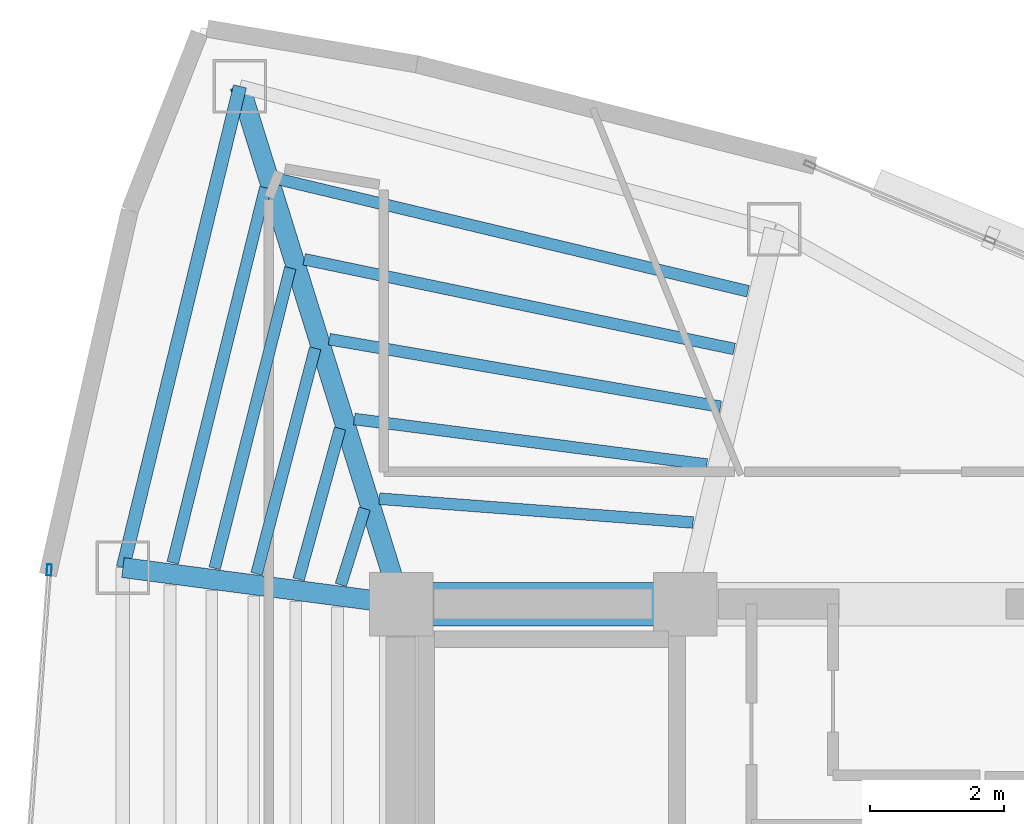
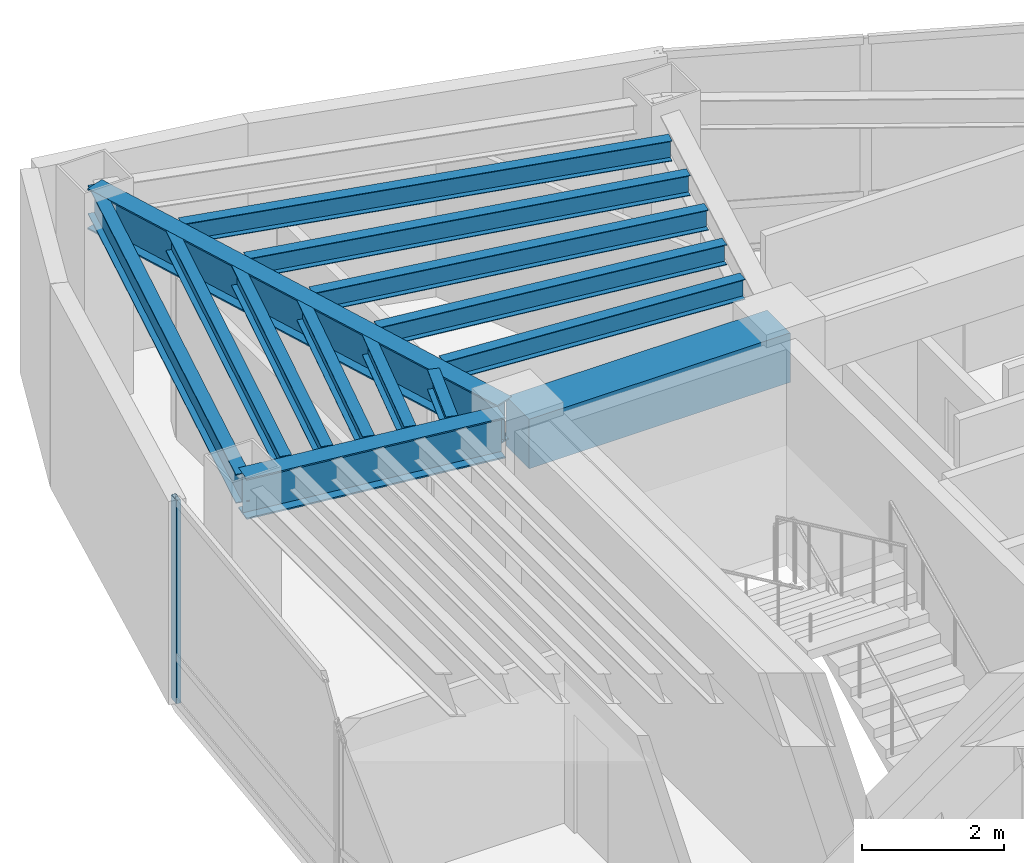
# One storey, part 7 of 15: 14 beams, 1 member, 1 element without a shape of its own.
"""IFC4 building model written with IfcOpenShell, lengths in metres."""

import ifcopenshell
import ifcopenshell.guid

model = None  # the IFC model being written
_history = None  # IfcOwnerHistory: only IFC2X3 demands one
_inside = {}  # id of a spatial element -> (the spatial element, [elements in it])
_under = {}  # id of a project, library or spatial element -> (it, [spatial elements below it])
_declared = {}  # id of a project -> (the project, [libraries it declares])
_typed = {}  # id of a type object -> (the type object, [elements of that type])
_made_of = {}  # id of a material, layer set ... -> (it, [elements and type objects made of it])


def new_model(schema):
    """Start an empty IFC model of exactly this schema.

    Asked for "IFC4X3", IfcOpenShell would pick the latest addendum, in which some entities
    have other attributes; the version numbers below select the first issue.
    IFC2X3 requires an IfcOwnerHistory on every rooted entity: one is made here for all.
    """
    global model, _history
    if schema == "IFC4X3":
        model = ifcopenshell.file(schema_version=(4, 3, 0, 0))
    else:
        model = ifcopenshell.file(schema=schema)
    _inside.clear()
    _under.clear()
    _declared.clear()
    _typed.clear()
    _made_of.clear()
    _history = None
    if model.schema == "IFC2X3":
        org = make("IfcOrganization", Name="unknown")
        user = make(
            "IfcPersonAndOrganization",
            ThePerson=make("IfcPerson", FamilyName="unknown"),
            TheOrganization=org,
        )
        app = make(
            "IfcApplication",
            ApplicationDeveloper=org,
            Version="unknown",
            ApplicationFullName="unknown",
            ApplicationIdentifier="unknown",
        )
        _history = make(
            "IfcOwnerHistory",
            OwningUser=user,
            OwningApplication=app,
            ChangeAction="ADDED",
            CreationDate=0,
        )
    return model


def make(cls, **values):
    """One entity of the class cls with the attributes given. An attribute that is None is left unset."""
    return model.create_entity(
        cls, **{name: value for name, value in values.items() if value is not None}
    )


def rooted(cls, **values):
    """An entity with a GlobalId (a new one), such as an element, a storey or a relation."""
    return make(cls, GlobalId=ifcopenshell.guid.new(), OwnerHistory=_history, **values)


def si_unit(unit_type, name, prefix=None):
    """IfcSIUnit, for example si_unit("LENGTHUNIT", "METRE", prefix="MILLI")."""
    return make("IfcSIUnit", UnitType=unit_type, Prefix=prefix, Name=name)


def assignment(units):
    """IfcUnitAssignment: the units of a project."""
    return None if units is None else make("IfcUnitAssignment", Units=units)


def point(xyz):
    """IfcCartesianPoint."""
    return None if xyz is None else make("IfcCartesianPoint", Coordinates=xyz)


def direction(xyz):
    """IfcDirection."""
    return None if xyz is None else make("IfcDirection", DirectionRatios=xyz)


def frame(location, z_axis=None, x_axis=None):
    """IfcAxis2Placement3D, a coordinate frame: its origin and axes. An axis left out is left unset."""
    return make(
        "IfcAxis2Placement3D",
        Location=point(location),
        Axis=direction(z_axis),
        RefDirection=direction(x_axis),
    )


def frame_2d(location, x_axis=None):
    """IfcAxis2Placement2D, a coordinate frame in the plane: its origin and x axis."""
    return make(
        "IfcAxis2Placement2D", Location=point(location), RefDirection=direction(x_axis)
    )


def origin():
    """The frame at (0, 0, 0) with its axes left unset."""
    return frame((0.0, 0.0, 0.0))


def origin_2d():
    """The frame at (0, 0) in the plane with its x axis left unset."""
    return frame_2d((0.0, 0.0))


def place(relative_to, where):
    """IfcLocalPlacement: puts the frame where relative to a parent placement (None: the world)."""
    return make(
        "IfcLocalPlacement", PlacementRelTo=relative_to, RelativePlacement=where
    )


def context(
    kind, dimensions, precision=None, world=None, true_north=None, identifier=None
):
    """IfcGeometricRepresentationContext, for example the 3D "Model" context."""
    return make(
        "IfcGeometricRepresentationContext",
        ContextIdentifier=identifier,
        ContextType=kind,
        CoordinateSpaceDimension=dimensions,
        Precision=precision,
        WorldCoordinateSystem=world,
        TrueNorth=true_north,
    )


def subcontext(parent, identifier, kind, view, scale=None):
    """IfcGeometricRepresentationSubContext, for example "Body" below "Model"."""
    return make(
        "IfcGeometricRepresentationSubContext",
        ContextIdentifier=identifier,
        ContextType=kind,
        ParentContext=parent,
        TargetScale=scale,
        TargetView=view,
    )


def project(units=None, contexts=None):
    """IfcProject with its units and contexts."""
    return rooted(
        "IfcProject",
        Name="project",
        RepresentationContexts=contexts,
        UnitsInContext=assignment(units),
    )


def spatial(cls, under=None, at=None, **own):
    """A site, building, storey or space (cls), placed at a placement, below another one or the project."""
    s = rooted(cls, ObjectPlacement=at, **own)
    if under is not None:
        _under.setdefault(under.id(), (under, []))[1].append(s)
    return s


def profile(cls, at=None, kind="AREA", **sizes):
    """A parametric profile (cls). Its sizes go by their IFC names, for example OverallWidth=200.0."""
    return make(cls, ProfileType=kind, Position=at, **sizes)


def rectangle(**sizes):
    """IfcRectangleProfileDef."""
    return profile("IfcRectangleProfileDef", **sizes)


def hollow_rectangle(**sizes):
    """IfcRectangleHollowProfileDef."""
    return profile("IfcRectangleHollowProfileDef", **sizes)


def i_section(**sizes):
    """IfcIShapeProfileDef."""
    return profile("IfcIShapeProfileDef", **sizes)


def extrude(swept, where, along, depth):
    """IfcExtrudedAreaSolid: the profile swept, set in the frame where, extruded along a direction by depth."""
    return make(
        "IfcExtrudedAreaSolid",
        SweptArea=swept,
        Position=where,
        ExtrudedDirection=direction(along),
        Depth=depth,
    )


def shape(context_of_items, identifier, shape_type, items):
    """IfcShapeRepresentation: the items that make up one representation, for example the "Body"."""
    return make(
        "IfcShapeRepresentation",
        ContextOfItems=context_of_items,
        RepresentationIdentifier=identifier,
        RepresentationType=shape_type,
        Items=items,
    )


def material(Name=None, Category=None):
    """IfcMaterial."""
    return make("IfcMaterial", Name=Name, Category=Category)


def layer(
    of_material, thickness, ventilated=None, Name=None, Category=None, Priority=None
):
    """IfcMaterialLayer: one layer of a wall or slab, of a material (None: an air gap)."""
    return make(
        "IfcMaterialLayer",
        Material=of_material,
        LayerThickness=thickness,
        IsVentilated=ventilated,
        Name=Name,
        Category=Category,
        Priority=Priority,
    )


def layer_set(layers, Name=None):
    """IfcMaterialLayerSet."""
    return make("IfcMaterialLayerSet", MaterialLayers=layers, LayerSetName=Name)


def material_profile(
    of_material, cross_section, Name=None, Category=None, Priority=None
):
    """IfcMaterialProfile: a cross section and its material."""
    return make(
        "IfcMaterialProfile",
        Name=Name,
        Material=of_material,
        Profile=cross_section,
        Priority=Priority,
        Category=Category,
    )


def profile_set(profiles, Name=None, composite=None):
    """IfcMaterialProfileSet."""
    return make(
        "IfcMaterialProfileSet",
        Name=Name,
        MaterialProfiles=profiles,
        CompositeProfile=composite,
    )


def made_of(thing, what):
    """Note that an element or type object is made of a material, layer set ...; save() writes the relation."""
    if what is not None:
        _made_of.setdefault(what.id(), (what, []))[1].append(thing)
    return thing


def type_object(cls, material=None, **own):
    """A type object (cls), such as IfcWallType, which elements share."""
    return made_of(rooted(cls, **own), material)


def element(
    cls,
    number,
    at=None,
    inside=None,
    cuts=None,
    type_object=None,
    material=None,
    context=None,
    identifier="Body",
    shape_type=None,
    held_by="IfcProductDefinitionShape",
    body=None,
    shapes=None,
    **own,
):
    """One element of the class cls, such as IfcWall. Its Tag is "e" and its number.

    at: its placement. inside: the storey or other place that contains it. cuts: it is an
    opening in that element (IfcRelVoidsElement). A single representation is given by context,
    identifier, shape_type and body (its items); several are given by shapes. held_by: the class
    of the entity that holds the representations. save() writes the other relations.
    """
    e = rooted(cls, Tag="e%d" % number, ObjectPlacement=at, **own)
    if body is not None:
        shapes = [shape(context, identifier, shape_type, body)]
    if shapes is not None:
        e.Representation = make(held_by, Representations=shapes)
    if inside is not None:
        _inside.setdefault(inside.id(), (inside, []))[1].append(e)
    if cuts is not None:
        rooted(
            "IfcRelVoidsElement", RelatingBuildingElement=cuts, RelatedOpeningElement=e
        )
    if type_object is not None:
        _typed.setdefault(type_object.id(), (type_object, []))[1].append(e)
    return made_of(e, material)


def aggregate(whole, parts):
    """IfcRelAggregates: a whole, such as a stair, and the parts it consists of."""
    return rooted("IfcRelAggregates", RelatingObject=whole, RelatedObjects=parts)


def save(model, path):
    """Write the relations noted so far, then the file.

    IfcRelAggregates (storeys below a building ...), IfcRelContainedInSpatialStructure (elements
    in a storey), IfcRelDefinesByType, IfcRelAssociatesMaterial and IfcRelDeclares: one each for
    every whole, place, type object, material and project.
    """
    for whole, parts in _under.values():
        aggregate(whole, parts)
    for where, things in _inside.values():
        rooted(
            "IfcRelContainedInSpatialStructure",
            RelatedElements=things,
            RelatingStructure=where,
        )
    for kind, things in _typed.values():
        rooted("IfcRelDefinesByType", RelatedObjects=things, RelatingType=kind)
    for what, things in _made_of.values():
        rooted("IfcRelAssociatesMaterial", RelatedObjects=things, RelatingMaterial=what)
    for by, libraries in _declared.values():
        rooted("IfcRelDeclares", RelatingContext=by, RelatedDefinitions=libraries)
    model.write(path)


model = new_model("IFC4")

# Units and contexts
model_context = context("Model", 3, precision=1e-05, world=origin(), true_north=direction((0.0, 1.0)))
body_context = subcontext(model_context, "Body", "Model", "MODEL_VIEW")
ifc_project = project(units=[si_unit("LENGTHUNIT", "METRE"), si_unit("AREAUNIT", "SQUARE_METRE"), si_unit("VOLUMEUNIT", "CUBIC_METRE"), si_unit("PLANEANGLEUNIT", "RADIAN"), si_unit("MASSUNIT", "GRAM", prefix="KILO")], contexts=[model_context])

# Site, building, storey
site_placement = place(None, origin())
site = spatial("IfcSite", under=ifc_project, at=site_placement, CompositionType="ELEMENT")
building_placement = place(site_placement, origin())
building = spatial("IfcBuilding", under=site, at=building_placement, Name="Menara Vayukalpa", CompositionType="ELEMENT")
storey_placement = place(building_placement, frame((0.0, 0.0, 269.4599609375)))
storey = spatial("IfcBuildingStorey", under=building, at=storey_placement, Name="L68", CompositionType="ELEMENT", Elevation=269.4599609375)

# Beams
ifc_material_1 = material(Name="Concrete C60/75", Category="concrete")
ifc_material_profile_1 = material_profile(ifc_material_1, rectangle(XDim=0.64990234375, YDim=0.85009765625, at=origin_2d()), Name="RC 650x850")
ifc_profile_set_1 = profile_set([ifc_material_profile_1], Name="Concrete C60/75")
beam_type_1 = type_object("IfcBeamType", Name="BM-CB1", PredefinedType="BEAM", material=ifc_profile_set_1)
beam_1_placement = place(storey_placement, frame((17.800048828125, 26.800048828125, 3.074951171875), z_axis=(1.0, 0.0, 0.0), x_axis=(0.0, 1.0, 0.0)))
element("IfcBeam", 1, at=beam_1_placement, inside=storey, type_object=beam_type_1, Name="L68 Core Tie Beam CBR4", PredefinedType="BEAM", context=body_context, shape_type="SweptSolid", body=[
    extrude(rectangle(XDim=0.64990234375, YDim=0.85009765625, at=origin_2d()), origin(), (0.0, 0.0, 1.0), 4.25),
])
ifc_material_2 = material(Name="Steel S355", Category="steel")
ifc_material_profile_2 = material_profile(ifc_material_2, i_section(OverallWidth=0.300048828125, OverallDepth=0.699951171875, WebThickness=0.012939453125, FlangeThickness=0.02392578125, at=origin_2d()), Name="WF 700x300x13x24")
ifc_profile_set_2 = profile_set([ifc_material_profile_2], Name="Steel S355")
beam_type_2 = type_object("IfcBeamType", Name="BM-PG5", PredefinedType="BEAM", material=ifc_profile_set_2)
beam_2_placement = place(storey_placement, frame((17.7255859375, 27.038818359375, 3.150146484375), z_axis=(-0.297213792842, 0.954810955815, 0.0), x_axis=(-0.954810955815, -0.297213792842, 0.0)))
element("IfcBeam", 2, at=beam_2_placement, inside=storey, type_object=beam_type_2, Name="L68 Primary Radial Girder RG04", PredefinedType="BEAM", context=body_context, shape_type="SweptSolid", body=[
    extrude(i_section(OverallWidth=0.300048828125, OverallDepth=0.699951171875, WebThickness=0.012939453125, FlangeThickness=0.02392578125, at=origin_2d()), origin(), (0.0, 0.0, 1.0), 7.861083984375),
])
beam_3_placement = place(storey_placement, frame((17.552001953125, 26.83251953125, 3.150146484375), z_axis=(-0.991477860763, 0.130275291662, 0.0), x_axis=(-0.130275291662, -0.991477860763, 0.0)))
element("IfcBeam", 3, at=beam_3_placement, inside=storey, type_object=beam_type_2, Name="L68 Primary Radial Girder RG05", PredefinedType="BEAM", context=body_context, shape_type="SweptSolid", body=[
    extrude(i_section(OverallWidth=0.300048828125, OverallDepth=0.699951171875, WebThickness=0.012939453125, FlangeThickness=0.02392578125, at=origin_2d()), origin(), (0.0, 0.0, 1.0), 3.94677734375),
])
ifc_material_3 = material(Name="Steel S355", Category="steel")
ifc_material_profile_3 = material_profile(ifc_material_3, i_section(OverallWidth=0.175048828125, OverallDepth=0.35009765625, WebThickness=0.007080078125, FlangeThickness=0.010986328125, at=origin_2d()), Name="WF 350x175x7x11")
ifc_profile_set_3 = profile_set([ifc_material_profile_3], Name="Steel S355")
beam_type_3 = type_object("IfcBeamType", Name="BM-SJ3", PredefinedType="JOIST", material=ifc_profile_set_3)
beam_4_placement = place(storey_placement, frame((22.16748046875, 28.02099609375, 3.324951171875), z_axis=(-0.997135697669, 0.075633328852, 0.0), x_axis=(-0.075633328852, -0.997135697669, 0.0)))
element("IfcBeam", 4, at=beam_4_placement, inside=storey, type_object=beam_type_3, Name="L68 Secondary Floor Joist SJ03-1", PredefinedType="JOIST", context=body_context, shape_type="SweptSolid", body=[
    extrude(i_section(OverallWidth=0.175048828125, OverallDepth=0.35009765625, WebThickness=0.007080078125, FlangeThickness=0.010986328125, at=origin_2d()), origin(), (0.0, 0.0, 1.0), 4.706298828125),
])
beam_5_placement = place(storey_placement, frame((22.372314453125, 28.887939453125, 3.324951171875), z_axis=(-0.991763759233, 0.128080622546, 0.0), x_axis=(-0.128080622546, -0.991763759233, 0.0)))
element("IfcBeam", 5, at=beam_5_placement, inside=storey, type_object=beam_type_3, Name="L68 Secondary Floor Joist SJ03-2", PredefinedType="JOIST", context=body_context, shape_type="SweptSolid", body=[
    extrude(i_section(OverallWidth=0.175048828125, OverallDepth=0.35009765625, WebThickness=0.007080078125, FlangeThickness=0.010986328125, at=origin_2d()), origin(), (0.0, 0.0, 1.0), 5.316162109375),
])
beam_6_placement = place(storey_placement, frame((22.577392578125, 29.7529296875, 3.324951171875), z_axis=(-0.985440172071, 0.170022549294, 0.0), x_axis=(-0.170022549294, -0.985440172071, 0.0)))
element("IfcBeam", 6, at=beam_6_placement, inside=storey, type_object=beam_type_3, Name="L68 Secondary Floor Joist SJ03-3", PredefinedType="JOIST", context=body_context, shape_type="SweptSolid", body=[
    extrude(i_section(OverallWidth=0.175048828125, OverallDepth=0.35009765625, WebThickness=0.007080078125, FlangeThickness=0.010986328125, at=origin_2d()), origin(), (0.0, 0.0, 1.0), 5.93896484375),
])
beam_7_placement = place(storey_placement, frame((22.7822265625, 30.61669921875, 3.324951171875), z_axis=(-0.978941451827, 0.204141210671, 0.0), x_axis=(-0.204141210671, -0.978941451827, 0.0)))
element("IfcBeam", 7, at=beam_7_placement, inside=storey, type_object=beam_type_3, Name="L68 Secondary Floor Joist SJ03-4", PredefinedType="JOIST", context=body_context, shape_type="SweptSolid", body=[
    extrude(i_section(OverallWidth=0.175048828125, OverallDepth=0.35009765625, WebThickness=0.007080078125, FlangeThickness=0.010986328125, at=origin_2d()), origin(), (0.0, 0.0, 1.0), 6.570556640625),
])
beam_8_placement = place(storey_placement, frame((22.9873046875, 31.479248046875, 3.324951171875), z_axis=(-0.972642465748, 0.232307197097, 0.0), x_axis=(-0.232307197097, -0.972642465748, 0.0)))
element("IfcBeam", 8, at=beam_8_placement, inside=storey, type_object=beam_type_3, Name="L68 Secondary Floor Joist SJ03-5", PredefinedType="JOIST", context=body_context, shape_type="SweptSolid", body=[
    extrude(i_section(OverallWidth=0.175048828125, OverallDepth=0.35009765625, WebThickness=0.007080078125, FlangeThickness=0.010986328125, at=origin_2d()), origin(), (0.0, 0.0, 1.0), 7.20947265625),
])
beam_9_placement = place(storey_placement, frame((17.25439453125, 28.2275390625, 3.324951171875), z_axis=(-0.298018933644, -0.954559958929, 0.0), x_axis=(0.954559958929, -0.298018933644, 0.0)))
element("IfcBeam", 9, at=beam_9_placement, inside=storey, type_object=beam_type_3, Name="L68 Secondary Floor Joist SJ04-1", PredefinedType="JOIST", context=body_context, shape_type="SweptSolid", body=[
    extrude(i_section(OverallWidth=0.175048828125, OverallDepth=0.35009765625, WebThickness=0.007080078125, FlangeThickness=0.010986328125, at=origin_2d()), origin(), (0.0, 0.0, 1.0), 1.1943359375),
])
beam_10_placement = place(storey_placement, frame((16.88623046875, 29.4267578125, 3.324951171875), z_axis=(-0.264918721837, -0.9642707456, 0.0), x_axis=(0.9642707456, -0.264918721837, 0.0)))
element("IfcBeam", 10, at=beam_10_placement, inside=storey, type_object=beam_type_3, Name="L68 Secondary Floor Joist SJ04-2", PredefinedType="JOIST", context=body_context, shape_type="SweptSolid", body=[
    extrude(i_section(OverallWidth=0.175048828125, OverallDepth=0.35009765625, WebThickness=0.007080078125, FlangeThickness=0.010986328125, at=origin_2d()), origin(), (0.0, 0.0, 1.0), 2.3388671875),
])
beam_11_placement = place(storey_placement, frame((16.5146484375, 30.627197265625, 3.324951171875), z_axis=(-0.251492114719, -0.96785934734, 0.0), x_axis=(0.96785934734, -0.251492114719, 0.0)))
element("IfcBeam", 11, at=beam_11_placement, inside=storey, type_object=beam_type_3, Name="L68 Secondary Floor Joist SJ04-3", PredefinedType="JOIST", context=body_context, shape_type="SweptSolid", body=[
    extrude(i_section(OverallWidth=0.175048828125, OverallDepth=0.35009765625, WebThickness=0.007080078125, FlangeThickness=0.010986328125, at=origin_2d()), origin(), (0.0, 0.0, 1.0), 3.485107421875),
])
beam_12_placement = place(storey_placement, frame((16.14208984375, 31.82763671875, 3.324951171875), z_axis=(-0.244247063973, -0.969713035769, 0.0), x_axis=(0.969713035769, -0.244247063973, 0.0)))
element("IfcBeam", 12, at=beam_12_placement, inside=storey, type_object=beam_type_3, Name="L68 Secondary Floor Joist SJ04-4", PredefinedType="JOIST", context=body_context, shape_type="SweptSolid", body=[
    extrude(i_section(OverallWidth=0.175048828125, OverallDepth=0.35009765625, WebThickness=0.007080078125, FlangeThickness=0.010986328125, at=origin_2d()), origin(), (0.0, 0.0, 1.0), 4.630859375),
])
beam_13_placement = place(storey_placement, frame((15.768798828125, 33.028564453125, 3.324951171875), z_axis=(-0.239671161383, -0.970854126222, 0.0), x_axis=(0.970854126222, -0.239671161383, 0.0)))
element("IfcBeam", 13, at=beam_13_placement, inside=storey, type_object=beam_type_3, Name="L68 Secondary Floor Joist SJ04-5", PredefinedType="JOIST", context=body_context, shape_type="SweptSolid", body=[
    extrude(i_section(OverallWidth=0.175048828125, OverallDepth=0.35009765625, WebThickness=0.007080078125, FlangeThickness=0.010986328125, at=origin_2d()), origin(), (0.0, 0.0, 1.0), 5.77783203125),
])
ifc_material_4 = material(Name="Steel S355", Category="steel")
ifc_material_profile_4 = material_profile(ifc_material_4, i_section(OverallWidth=0.199951171875, OverallDepth=0.5, WebThickness=0.010009765625, FlangeThickness=0.01611328125, at=origin_2d()), Name="WF 500x200x10x16")
ifc_profile_set_4 = profile_set([ifc_material_profile_4], Name="Steel S355")
beam_type_4 = type_object("IfcBeamType", Name="BM-SP3", PredefinedType="SPANDREL", material=ifc_profile_set_4)
beam_14_placement = place(storey_placement, frame((15.38916015625, 34.544677734375, 3.25), z_axis=(-0.236272525754, -0.97168682896, 0.0), x_axis=(0.97168682896, -0.236272525754, 0.0)))
element("IfcBeam", 14, at=beam_14_placement, inside=storey, type_object=beam_type_4, Name="L68 Perimeter Spandrel Beam SP04", PredefinedType="SPANDREL", context=body_context, shape_type="SweptSolid", body=[
    extrude(i_section(OverallWidth=0.199951171875, OverallDepth=0.5, WebThickness=0.010009765625, FlangeThickness=0.01611328125, at=origin_2d()), origin(), (0.0, 0.0, 1.0), 7.40771484375),
])

# Curtain wall, member
ifc_material_5 = material(Name="Anodised Terracotta Aluminium Alloy 6063-T6", Category="masonry")
ifc_layer = layer(ifc_material_5, 0.1650390625)
ifc_layer_set = layer_set([ifc_layer], Name="Anodised Terracotta Aluminium Alloy 6063-T6")
curtain_wall_type = type_object("IfcCurtainWallType", Name="CW-CW6", PredefinedType="USERDEFINED", material=ifc_layer_set)
curtain_wall_placement = place(storey_placement, origin())
curtain_wall = element("IfcCurtainWall", 15, at=curtain_wall_placement, inside=storey, type_object=curtain_wall_type, Name="L68 Observation and Executive Curtain Wall CW6 10", ObjectType="UNITISED", PredefinedType="USERDEFINED")
ifc_material_6 = material(Name="Anodised Terracotta Aluminium Alloy 6063-T6", Category="masonry")
ifc_material_profile_5 = material_profile(ifc_material_6, hollow_rectangle(XDim=0.070068359375, YDim=0.1650390625, WallThickness=0.00390625, at=origin_2d()), Name="ALU 70x165x4")
ifc_profile_set_5 = profile_set([ifc_material_profile_5], Name="Anodised Terracotta Aluminium Alloy 6063-T6")
member_type = type_object("IfcMemberType", Name="CWM-CW6", PredefinedType="MULLION", material=ifc_profile_set_5)
member_placement = place(storey_placement, frame((12.536376953125, 27.311767578125, 0.0), z_axis=(0.0, 0.0, 1.0), x_axis=(0.997199344663, -0.074789484574, 0.0)))
member = element("IfcMember", 16, at=member_placement, type_object=member_type, Name="CW6 mullion 1", PredefinedType="MULLION", context=body_context, shape_type="SweptSolid", body=[
    extrude(hollow_rectangle(XDim=0.070068359375, YDim=0.1650390625, WallThickness=0.00390625, at=origin_2d()), origin(), (0.0, 0.0, 1.0), 3.5),
])
aggregate(curtain_wall, [member])

save(model, "model.ifc")
